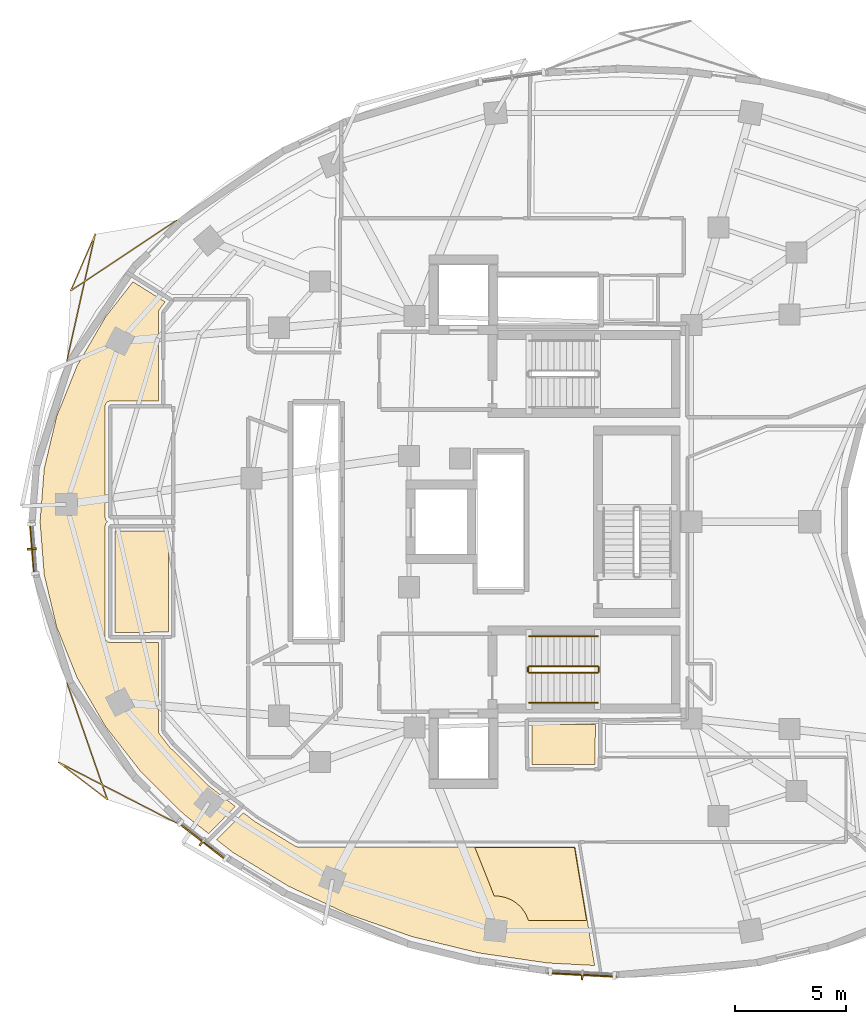
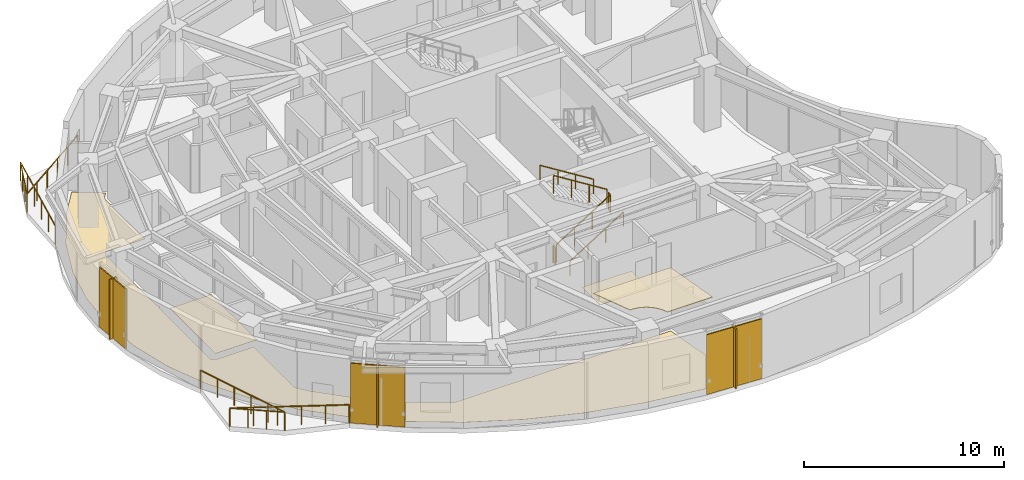
# One storey, part 11 of 13: 8 railings, 6 shading devices, 5 coverings.
"""IFC4 building model written with IfcOpenShell, lengths in metres."""

from ifc_helpers import new_model, si_unit, direction, frame, origin, origin_2d, place, context, subcontext, project, spatial, polyline, rectangle, outline, extrude, material, layer, layer_set, type_object, element, save


model = new_model("IFC4")

# Units and contexts
model_context = context("Model", 3, precision=1e-05, world=origin(), true_north=direction((0.0, 1.0)))
body_context = subcontext(model_context, "Body", "Model", "MODEL_VIEW")
ifc_project = project(units=[si_unit("LENGTHUNIT", "METRE"), si_unit("AREAUNIT", "SQUARE_METRE"), si_unit("VOLUMEUNIT", "CUBIC_METRE"), si_unit("PLANEANGLEUNIT", "RADIAN"), si_unit("MASSUNIT", "GRAM", prefix="KILO")], contexts=[model_context])

# Site, building, storey
site_placement = place(None, origin())
site = spatial("IfcSite", under=ifc_project, at=site_placement, CompositionType="ELEMENT")
building_placement = place(site_placement, origin())
building = spatial("IfcBuilding", under=site, at=building_placement, Name="Korentha Bioscience Tower", CompositionType="ELEMENT")
storey_placement = place(building_placement, frame((0.0, 0.0, 183.60009765625)))
storey = spatial("IfcBuildingStorey", under=building, at=storey_placement, Name="L42", CompositionType="ELEMENT", Elevation=183.60009765625)

# Railings
ifc_material_1 = material(Name="Stainless Steel 304", Category="steel")
railing_type_1 = type_object("IfcRailingType", Name="Brushed Stainless Stair Handrail 900", PredefinedType="HANDRAIL", material=ifc_material_1)
railing_1_placement = place(storey_placement, frame((30.25, 18.85009765625, 0.1748046875)))
element("IfcRailing", 1, at=railing_1_placement, inside=storey, type_object=railing_type_1, Name="L42 ST-2 stair handrail 1", PredefinedType="HANDRAIL", context=body_context, shape_type="SweptSolid", body=[
    extrude(rectangle(XDim=0.048095703125, YDim=0.048095703125, at=origin_2d()), frame((0.0, 0.0, 0.8759765625), z_axis=(0.847998304005, 0.0, 0.529998940003), x_axis=(0.0, 1.0, 0.0)), (0.0, 0.0, 1.0), 3.632080078125),
    extrude(rectangle(XDim=0.0419921875, YDim=0.0419921875, at=origin_2d()), origin(), (0.0, 0.0, 1.0), 0.851806640625),
    extrude(rectangle(XDim=0.0419921875, YDim=0.0419921875, at=origin_2d()), frame((1.026611328125, 0.0, 0.6416015625)), (0.0, 0.0, 1.0), 0.851806640625),
    extrude(rectangle(XDim=0.0419921875, YDim=0.0419921875, at=origin_2d()), frame((2.053466796875, 0.0, 1.283447265625)), (0.0, 0.0, 1.0), 0.851806640625),
    extrude(rectangle(XDim=0.0419921875, YDim=0.0419921875, at=origin_2d()), frame((3.080078125, 0.0, 1.925048828125)), (0.0, 0.0, 1.0), 0.851806640625),
])
railing_2_placement = place(storey_placement, frame((33.330078125, 21.85009765625, 2.27490234375)))
element("IfcRailing", 2, at=railing_2_placement, inside=storey, type_object=railing_type_1, Name="L42 ST-2 stair handrail 2", PredefinedType="HANDRAIL", context=body_context, shape_type="SweptSolid", body=[
    extrude(rectangle(XDim=0.048095703125, YDim=0.048095703125, at=origin_2d()), frame((0.0, 0.0, 0.8759765625), z_axis=(-0.847998304005, 0.0, 0.529998940003), x_axis=(0.0, -1.0, 0.0)), (0.0, 0.0, 1.0), 3.632080078125),
    extrude(rectangle(XDim=0.0419921875, YDim=0.0419921875, at=origin_2d()), origin(), (0.0, 0.0, 1.0), 0.851806640625),
    extrude(rectangle(XDim=0.0419921875, YDim=0.0419921875, at=origin_2d()), frame((-1.026611328125, 0.0, 0.6416015625)), (0.0, 0.0, 1.0), 0.851806640625),
    extrude(rectangle(XDim=0.0419921875, YDim=0.0419921875, at=origin_2d()), frame((-2.053466796875, 0.0, 1.283447265625)), (0.0, 0.0, 1.0), 0.851806640625),
    extrude(rectangle(XDim=0.0419921875, YDim=0.0419921875, at=origin_2d()), frame((-3.080078125, 0.0, 1.925048828125)), (0.0, 0.0, 1.0), 0.851806640625),
])
ifc_material_2 = material(Name="Laminated Tempered Safety Glass", Category="glass")
railing_type_2 = type_object("IfcRailingType", Name="Laminated Glass Balcony Guardrail 1150", PredefinedType="BALUSTRADE", material=ifc_material_2)
railing_3_placement = place(storey_placement, frame((14.390380859375, 40.56005859375, 0.0)))
element("IfcRailing", 3, at=railing_3_placement, inside=storey, type_object=railing_type_2, Name="L42 Balcony Guardrail 02", PredefinedType="BALUSTRADE", context=body_context, shape_type="SweptSolid", body=[
    extrude(rectangle(XDim=0.048095703125, YDim=0.048095703125, at=origin_2d()), frame((0.0, 0.0, 1.1259765625), z_axis=(-0.832777977165, -0.553607117682, 0.0), x_axis=(0.553607117682, -0.832777977165, 0.0)), (0.0, 0.0, 1.0), 5.7236328125),
    extrude(rectangle(XDim=0.048095703125, YDim=0.048095703125, at=origin_2d()), frame((-4.7666015625, -3.168701171875, 1.1259765625), z_axis=(0.397135597344, 0.917759945368, 0.0), x_axis=(-0.917759945368, 0.397135597344, 0.0)), (0.0, 0.0, 1.0), 2.773681640625),
    extrude(rectangle(XDim=0.048095703125, YDim=0.048095703125, at=origin_2d()), frame((-3.6650390625, -0.623046875, 1.1259765625), z_axis=(-0.217896833362, -0.975971808, 0.0), x_axis=(0.975971808, -0.217896833362, 0.0)), (0.0, 0.0, 1.0), 5.830810546875),
    extrude(rectangle(XDim=0.0419921875, YDim=0.0419921875, at=origin_2d()), origin(), (0.0, 0.0, 1.0), 1.101806640625),
    extrude(rectangle(XDim=0.0419921875, YDim=0.0419921875, at=origin_2d()), frame((-0.953369140625, -0.6337890625, 0.0)), (0.0, 0.0, 1.0), 1.101806640625),
    extrude(rectangle(XDim=0.0419921875, YDim=0.0419921875, at=origin_2d()), frame((-1.90673828125, -1.267578125, 0.0)), (0.0, 0.0, 1.0), 1.101806640625),
    extrude(rectangle(XDim=0.0419921875, YDim=0.0419921875, at=origin_2d()), frame((-2.85986328125, -1.901123046875, 0.0)), (0.0, 0.0, 1.0), 1.101806640625),
    extrude(rectangle(XDim=0.0419921875, YDim=0.0419921875, at=origin_2d()), frame((-3.813232421875, -2.534912109375, 0.0)), (0.0, 0.0, 1.0), 1.101806640625),
    extrude(rectangle(XDim=0.0419921875, YDim=0.0419921875, at=origin_2d()), frame((-4.7666015625, -3.168701171875, 0.0)), (0.0, 0.0, 1.0), 1.101806640625),
    extrude(rectangle(XDim=0.0419921875, YDim=0.0419921875, at=origin_2d()), frame((-4.3994140625, -2.320068359375, 0.0)), (0.0, 0.0, 1.0), 1.101806640625),
    extrude(rectangle(XDim=0.0419921875, YDim=0.0419921875, at=origin_2d()), frame((-4.0322265625, -1.4716796875, 0.0)), (0.0, 0.0, 1.0), 1.101806640625),
    extrude(rectangle(XDim=0.0419921875, YDim=0.0419921875, at=origin_2d()), frame((-3.6650390625, -0.623046875, 0.0)), (0.0, 0.0, 1.0), 1.101806640625),
    extrude(rectangle(XDim=0.0419921875, YDim=0.0419921875, at=origin_2d()), frame((-3.919189453125, -1.76123046875, 0.0)), (0.0, 0.0, 1.0), 1.101806640625),
    extrude(rectangle(XDim=0.0419921875, YDim=0.0419921875, at=origin_2d()), frame((-4.17333984375, -2.8994140625, 0.0)), (0.0, 0.0, 1.0), 1.101806640625),
    extrude(rectangle(XDim=0.0419921875, YDim=0.0419921875, at=origin_2d()), frame((-4.42724609375, -4.037353515625, 0.0)), (0.0, 0.0, 1.0), 1.101806640625),
    extrude(rectangle(XDim=0.0419921875, YDim=0.0419921875, at=origin_2d()), frame((-4.681396484375, -5.175537109375, 0.0)), (0.0, 0.0, 1.0), 1.101806640625),
    extrude(rectangle(XDim=0.0419921875, YDim=0.0419921875, at=origin_2d()), frame((-4.935546875, -6.313720703125, 0.0)), (0.0, 0.0, 1.0), 1.101806640625),
])
railing_4_placement = place(storey_placement, frame((9.454833984375, 19.753662109375, 0.0)))
element("IfcRailing", 4, at=railing_4_placement, inside=storey, type_object=railing_type_2, Name="L42 Balcony Guardrail 03", PredefinedType="BALUSTRADE", context=body_context, shape_type="SweptSolid", body=[
    extrude(rectangle(XDim=0.048095703125, YDim=0.048095703125, at=origin_2d()), frame((0.0, 0.0, 1.1259765625), z_axis=(0.32732446538, -0.944912003503, 0.0), x_axis=(0.944912003503, 0.32732446538, 0.0)), (0.0, 0.0, 1.0), 5.56640625),
    extrude(rectangle(XDim=0.048095703125, YDim=0.048095703125, at=origin_2d()), frame((1.822021484375, -5.259765625, 1.1259765625), z_axis=(-0.794752376114, 0.606933819012, 0.0), x_axis=(-0.606933819012, -0.794752376114, 0.0)), (0.0, 0.0, 1.0), 2.77392578125),
    extrude(rectangle(XDim=0.048095703125, YDim=0.048095703125, at=origin_2d()), frame((-0.382568359375, -3.576171875, 1.1259765625), z_axis=(0.889116514166, -0.457680919678, 0.0), x_axis=(0.457680919678, 0.889116514166, 0.0)), (0.0, 0.0, 1.0), 5.9814453125),
    extrude(rectangle(XDim=0.0419921875, YDim=0.0419921875, at=origin_2d()), origin(), (0.0, 0.0, 1.0), 1.101806640625),
    extrude(rectangle(XDim=0.0419921875, YDim=0.0419921875, at=origin_2d()), frame((0.364501953125, -1.052001953125, 0.0)), (0.0, 0.0, 1.0), 1.101806640625),
    extrude(rectangle(XDim=0.0419921875, YDim=0.0419921875, at=origin_2d()), frame((0.728759765625, -2.10400390625, 0.0)), (0.0, 0.0, 1.0), 1.101806640625),
    extrude(rectangle(XDim=0.0419921875, YDim=0.0419921875, at=origin_2d()), frame((1.09326171875, -3.15576171875, 0.0)), (0.0, 0.0, 1.0), 1.101806640625),
    extrude(rectangle(XDim=0.0419921875, YDim=0.0419921875, at=origin_2d()), frame((1.45751953125, -4.207763671875, 0.0)), (0.0, 0.0, 1.0), 1.101806640625),
    extrude(rectangle(XDim=0.0419921875, YDim=0.0419921875, at=origin_2d()), frame((1.822021484375, -5.259765625, 0.0)), (0.0, 0.0, 1.0), 1.101806640625),
    extrude(rectangle(XDim=0.0419921875, YDim=0.0419921875, at=origin_2d()), frame((1.087158203125, -4.698486328125, 0.0)), (0.0, 0.0, 1.0), 1.101806640625),
    extrude(rectangle(XDim=0.0419921875, YDim=0.0419921875, at=origin_2d()), frame((0.352294921875, -4.137451171875, 0.0)), (0.0, 0.0, 1.0), 1.101806640625),
    extrude(rectangle(XDim=0.0419921875, YDim=0.0419921875, at=origin_2d()), frame((-0.382568359375, -3.576171875, 0.0)), (0.0, 0.0, 1.0), 1.101806640625),
    extrude(rectangle(XDim=0.0419921875, YDim=0.0419921875, at=origin_2d()), frame((0.68115234375, -4.123779296875, 0.0)), (0.0, 0.0, 1.0), 1.101806640625),
    extrude(rectangle(XDim=0.0419921875, YDim=0.0419921875, at=origin_2d()), frame((1.74462890625, -4.671142578125, 0.0)), (0.0, 0.0, 1.0), 1.101806640625),
    extrude(rectangle(XDim=0.0419921875, YDim=0.0419921875, at=origin_2d()), frame((2.808349609375, -5.21875, 0.0)), (0.0, 0.0, 1.0), 1.101806640625),
    extrude(rectangle(XDim=0.0419921875, YDim=0.0419921875, at=origin_2d()), frame((3.871826171875, -5.76611328125, 0.0)), (0.0, 0.0, 1.0), 1.101806640625),
    extrude(rectangle(XDim=0.0419921875, YDim=0.0419921875, at=origin_2d()), frame((4.935546875, -6.313720703125, 0.0)), (0.0, 0.0, 1.0), 1.101806640625),
])

# Covering
ifc_material_3 = material(Name="Antimicrobial Mineral Fibre Board", Category="gypsum")
ifc_layer_1 = layer(ifc_material_3, 0.034912109375, Name="Antimicrobial Mineral Fibre Board")
ifc_layer_set_1 = layer_set([ifc_layer_1], Name="Antimicrobial Mineral Fibre Board (CL-MF35)")
covering_type_1 = type_object("IfcCoveringType", Name="Mineral-Fibre Cleanroom Suspended Ceiling 35", PredefinedType="CEILING", material=ifc_layer_set_1)
covering_1_placement = place(storey_placement, frame((0.0, 0.0, 3.864990234375)))
element("IfcCovering", 5, at=covering_1_placement, inside=storey, type_object=covering_type_1, Name="L42 Principal Investigator Office 03 Acoustic Ceiling", PredefinedType="CEILING", context=body_context, shape_type="SweptSolid", body=[
    extrude(outline(polyline([(32.833740234375, 9.06640625), (30.219970703125, 9.06787109375), (30.106689453125, 9.340087890625), (29.937744140625, 9.5927734375), (29.835693359375, 9.70556640625), (29.6005859375, 9.898193359375), (29.47021484375, 9.9765625), (29.189453125, 10.0927734375), (28.8916015625, 10.152099609375), (28.68310546875, 10.15673828125), (27.81396484375, 12.340087890625), (32.2919921875, 12.340087890625), (32.833740234375, 9.06640625)])), origin(), (0.0, 0.0, 1.0), 0.034912109375),
])

# Railings
ifc_material_4 = material(Name="Painted Steel S275", Category="steel")
railing_type_3 = type_object("IfcRailingType", Name="Painted Steel Stair Well Guardrail 1100", PredefinedType="GUARDRAIL", material=ifc_material_4)
railing_5_placement = place(storey_placement, frame((30.25, 20.199951171875, 0.1748046875)))
element("IfcRailing", 6, at=railing_5_placement, inside=storey, type_object=railing_type_3, Name="L42 ST-2 stair guard 1", PredefinedType="GUARDRAIL", context=body_context, shape_type="SweptSolid", body=[
    extrude(rectangle(XDim=0.048095703125, YDim=0.048095703125, at=origin_2d()), frame((0.0, 0.0, 1.076171875), z_axis=(0.847998304005, 0.0, 0.529998940003), x_axis=(0.0, 1.0, 0.0)), (0.0, 0.0, 1.0), 3.632080078125),
    extrude(rectangle(XDim=0.0419921875, YDim=0.0419921875, at=origin_2d()), origin(), (0.0, 0.0, 1.0), 1.052001953125),
    extrude(rectangle(XDim=0.0419921875, YDim=0.0419921875, at=origin_2d()), frame((1.026611328125, 0.0, 0.6416015625)), (0.0, 0.0, 1.0), 1.052001953125),
    extrude(rectangle(XDim=0.0419921875, YDim=0.0419921875, at=origin_2d()), frame((2.053466796875, 0.0, 1.283447265625)), (0.0, 0.0, 1.0), 1.052001953125),
    extrude(rectangle(XDim=0.0419921875, YDim=0.0419921875, at=origin_2d()), frame((3.080078125, 0.0, 1.925048828125)), (0.0, 0.0, 1.0), 1.052001953125),
])
railing_6_placement = place(storey_placement, frame((33.3798828125, 20.25, 2.099853515625)))
element("IfcRailing", 7, at=railing_6_placement, inside=storey, type_object=railing_type_3, Name="L42 ST-2 stair guard 2", PredefinedType="GUARDRAIL", context=body_context, shape_type="SweptSolid", body=[
    extrude(rectangle(XDim=0.048095703125, YDim=0.048095703125, at=origin_2d()), frame((0.0, 0.0, 1.076171875), z_axis=(0.0, 1.0, 0.0), x_axis=(-1.0, 0.0, 0.0)), (0.0, 0.0, 1.0), 0.199951171875),
    extrude(rectangle(XDim=0.0419921875, YDim=0.0419921875, at=origin_2d()), origin(), (0.0, 0.0, 1.0), 1.052001953125),
    extrude(rectangle(XDim=0.0419921875, YDim=0.0419921875, at=origin_2d()), frame((0.0, 0.199951171875, 0.0)), (0.0, 0.0, 1.0), 1.052001953125),
])
railing_7_placement = place(storey_placement, frame((33.330078125, 20.5, 2.27490234375)))
element("IfcRailing", 8, at=railing_7_placement, inside=storey, type_object=railing_type_3, Name="L42 ST-2 stair guard 3", PredefinedType="GUARDRAIL", context=body_context, shape_type="SweptSolid", body=[
    extrude(rectangle(XDim=0.048095703125, YDim=0.048095703125, at=origin_2d()), frame((0.0, 0.0, 1.076171875), z_axis=(-0.847998304005, 0.0, 0.529998940003), x_axis=(0.0, -1.0, 0.0)), (0.0, 0.0, 1.0), 3.632080078125),
    extrude(rectangle(XDim=0.0419921875, YDim=0.0419921875, at=origin_2d()), origin(), (0.0, 0.0, 1.0), 1.052001953125),
    extrude(rectangle(XDim=0.0419921875, YDim=0.0419921875, at=origin_2d()), frame((-1.026611328125, 0.0, 0.6416015625)), (0.0, 0.0, 1.0), 1.052001953125),
    extrude(rectangle(XDim=0.0419921875, YDim=0.0419921875, at=origin_2d()), frame((-2.053466796875, 0.0, 1.283447265625)), (0.0, 0.0, 1.0), 1.052001953125),
    extrude(rectangle(XDim=0.0419921875, YDim=0.0419921875, at=origin_2d()), frame((-3.080078125, 0.0, 1.925048828125)), (0.0, 0.0, 1.0), 1.052001953125),
])
railing_8_placement = place(storey_placement, frame((30.199951171875, 20.25, 0.0)))
element("IfcRailing", 9, at=railing_8_placement, inside=storey, type_object=railing_type_3, Name="L42 ST-2 stair guard 4", PredefinedType="GUARDRAIL", context=body_context, shape_type="SweptSolid", body=[
    extrude(rectangle(XDim=0.048095703125, YDim=0.048095703125, at=origin_2d()), frame((0.0, 0.0, 1.076171875), z_axis=(0.0, 1.0, 0.0), x_axis=(-1.0, 0.0, 0.0)), (0.0, 0.0, 1.0), 0.199951171875),
    extrude(rectangle(XDim=0.0419921875, YDim=0.0419921875, at=origin_2d()), origin(), (0.0, 0.0, 1.0), 1.052001953125),
    extrude(rectangle(XDim=0.0419921875, YDim=0.0419921875, at=origin_2d()), frame((0.0, 0.199951171875, 0.0)), (0.0, 0.0, 1.0), 1.052001953125),
])

# Shading devices
ifc_material_5 = material(Name="Perforated Stone-Ceramic Composite", Category="masonry")
ifc_layer_2 = layer(ifc_material_5, 0.06494140625, Name="Perforated Stone-Ceramic Composite")
ifc_layer_set_2 = layer_set([ifc_layer_2], Name="Perforated Stone-Ceramic Composite (CS-01)")
shading_device_type_1 = type_object("IfcShadingDeviceType", Name="Perforated Stone-Ceramic Solar Screen Panel 65", PredefinedType="USERDEFINED", material=ifc_layer_set_2)
shading_device_1_placement = place(storey_placement, frame((7.89208984375, 25.773193359375, 0.0), z_axis=(0.0, 0.0, 1.0), x_axis=(0.078030772566, -0.996950950916, 0.0)))
element("IfcShadingDevice", 10, at=shading_device_1_placement, inside=storey, type_object=shading_device_type_1, Name="CW-L42-19 Perforated Stone-Ceramic Solar Screen", ObjectType="SCREEN", PredefinedType="USERDEFINED", context=body_context, shape_type="SweptSolid", body=[
    extrude(rectangle(XDim=2.370361328125, YDim=0.06494140625, at=origin_2d()), origin(), (0.0, 0.0, 1.0), 3.64990234375),
])
shading_device_2_placement = place(storey_placement, frame((15.5576171875, 12.611572265625, 0.0), z_axis=(0.0, 0.0, 1.0), x_axis=(0.790546796919, -0.612401634454, 0.0)))
element("IfcShadingDevice", 11, at=shading_device_2_placement, inside=storey, type_object=shading_device_type_1, Name="CW-L42-25 Perforated Stone-Ceramic Solar Screen", ObjectType="SCREEN", PredefinedType="USERDEFINED", context=body_context, shape_type="SweptSolid", body=[
    extrude(rectangle(XDim=2.759765625, YDim=0.06494140625, at=origin_2d()), origin(), (0.0, 0.0, 1.0), 3.64990234375),
])
shading_device_3_placement = place(storey_placement, frame((32.642578125, 6.612060546875, 0.0), z_axis=(0.0, 0.0, 1.0), x_axis=(0.998637677307, -0.052180355139, 0.0)))
element("IfcShadingDevice", 12, at=shading_device_3_placement, inside=storey, type_object=shading_device_type_1, Name="CW-L42-31 Perforated Stone-Ceramic Solar Screen", ObjectType="SCREEN", PredefinedType="USERDEFINED", context=body_context, shape_type="SweptSolid", body=[
    extrude(rectangle(XDim=3.106689453125, YDim=0.06494140625, at=origin_2d()), origin(), (0.0, 0.0, 1.0), 3.64990234375),
])

# Coverings
ifc_material_6 = material(Name="Chemical-Resistant Epoxy Resin", Category="polymer")
ifc_layer_3 = layer(ifc_material_6, 0.011962890625, Name="Chemical-Resistant Epoxy Resin")
ifc_layer_set_3 = layer_set([ifc_layer_3], Name="Chemical-Resistant Epoxy Resin (FL-EPX)")
covering_type_2 = type_object("IfcCoveringType", Name="Seamless Epoxy Laboratory Flooring 12", PredefinedType="FLOORING", material=ifc_layer_set_3)
covering_2_placement = place(storey_placement, origin())
element("IfcCovering", 13, at=covering_2_placement, inside=storey, type_object=covering_type_2, Name="L42 Core Instrumentation and Gas Store Floor Finish", PredefinedType="FLOORING", context=body_context, shape_type="SweptSolid", body=[
    extrude(outline(polyline([(33.22998046875, 17.8701171875), (33.219970703125, 16.080078125), (30.3798828125, 16.080078125), (30.371337890625, 17.8701171875), (33.22998046875, 17.8701171875)])), origin(), (0.0, 0.0, 1.0), 0.011962890625),
])
covering_3_placement = place(storey_placement, origin())
element("IfcCovering", 14, at=covering_3_placement, inside=storey, type_object=covering_type_2, Name="L42 Reclaimed Bank-1 Cold Freezer Alcove Floor Finish", PredefinedType="FLOORING", context=body_context, shape_type="SweptSolid", body=[
    extrude(outline(polyline([(14.02001953125, 22.030029296875), (11.6201171875, 22.02099609375), (11.6201171875, 26.580078125), (14.02001953125, 26.580078125), (14.02001953125, 22.030029296875)])), origin(), (0.0, 0.0, 1.0), 0.011962890625),
])
covering_4_placement = place(storey_placement, origin())
element("IfcCovering", 15, at=covering_4_placement, inside=storey, type_object=covering_type_2, Name="L42 Biospecimen Archive Store 01 Floor Finish", PredefinedType="FLOORING", context=body_context, shape_type="SweptSolid", body=[
    extrude(outline(polyline([(8.43408203125, 29.38330078125), (8.9921875, 31.735107421875), (9.9140625, 34.021240234375), (11.189208984375, 36.21142578125), (12.426513671875, 37.794189453125), (13.87646484375, 36.888671875), (13.612060546875, 36.5498046875), (13.5703125, 36.4287109375), (13.570068359375, 32.429931640625), (11.38818359375, 32.4296875), (11.322021484375, 32.41650390625), (11.245849609375, 32.37060546875), (11.1767578125, 32.25537109375), (11.169921875, 27.199951171875), (11.202392578125, 27.082275390625), (11.286865234375, 27.0), (11.202392578125, 26.917724609375), (11.169921875, 26.800048828125), (11.17236328125, 21.7666015625), (11.1923828125, 21.701171875), (11.2451171875, 21.6298828125), (11.302001953125, 21.591796875), (11.38818359375, 21.5703125), (13.570068359375, 21.570068359375), (13.570068359375, 17.58251953125), (13.5908203125, 17.487060546875), (14.073974609375, 16.859619140625), (15.839111328125, 15.115234375), (17.037109375, 14.185302734375), (15.82763671875, 12.971923828125), (14.727294921875, 13.82421875), (12.801025390625, 15.726806640625), (11.189453125, 17.788330078125), (9.914306640625, 19.978271484375), (8.991943359375, 22.26513671875), (8.43408203125, 24.616455078125), (8.24755859375, 27.0), (8.43408203125, 29.38330078125)])), origin(), (0.0, 0.0, 1.0), 0.011962890625),
])
covering_5_placement = place(storey_placement, origin())
element("IfcCovering", 16, at=covering_5_placement, inside=storey, type_object=covering_type_2, Name="L42 Principal Investigator Office 03 Floor Finish", PredefinedType="FLOORING", context=body_context, shape_type="SweptSolid", body=[
    extrude(outline(polyline([(22.10107421875, 9.343994140625), (19.410888671875, 10.6083984375), (16.94091796875, 12.109375), (16.186279296875, 12.694091796875), (17.394775390625, 13.906982421875), (17.9169921875, 13.505615234375), (19.730224609375, 12.403564453125), (19.81884765625, 12.3720703125), (32.3173828125, 12.3701171875), (33.20068359375, 7.03369140625), (31.0888671875, 7.14404296875), (27.983154296875, 7.598388671875), (24.972412109375, 8.33544921875), (22.10107421875, 9.343994140625)])), origin(), (0.0, 0.0, 1.0), 0.011962890625),
])

# Shading devices
ifc_material_7 = material(Name="Honed Travertine Limestone", Category="masonry")
ifc_layer_4 = layer(ifc_material_7, 0.080078125, Name="Honed Travertine Limestone")
ifc_layer_set_4 = layer_set([ifc_layer_4], Name="Honed Travertine Limestone (CS-02)")
shading_device_type_2 = type_object("IfcShadingDeviceType", Name="Vertical Honed Limestone Sunshade Fin 80x420", PredefinedType="USERDEFINED", material=ifc_layer_set_4)
for number, where, z_axis, x_axis, name in (
    (17, (7.872314453125, 25.771728515625, 0.0), (0.0, 0.0, 1.0), (0.078030772566, -0.996950950916, 0.0), "CW-L42-19 Limestone Sunshade Fin"),
    (18, (15.54541015625, 12.595947265625, 0.0), (0.0, 0.0, 1.0), (0.790546796919, -0.612401634454, 0.0), "CW-L42-25 Limestone Sunshade Fin"),
    (19, (32.6416015625, 6.59228515625, 0.0), (0.0, 0.0, 1.0), (0.998637677307, -0.052180355139, 0.0), "CW-L42-31 Limestone Sunshade Fin"),
):
    element("IfcShadingDevice", number, at=place(storey_placement, frame(where, z_axis=z_axis, x_axis=x_axis)), inside=storey, type_object=shading_device_type_2, Name=name, ObjectType="SCREEN", PredefinedType="USERDEFINED", context=body_context, shape_type="SweptSolid", body=[
        extrude(rectangle(XDim=0.080078125, YDim=0.419921875, at=origin_2d()), origin(), (0.0, 0.0, 1.0), 3.64990234375),
    ])

save(model, "model.ifc")
